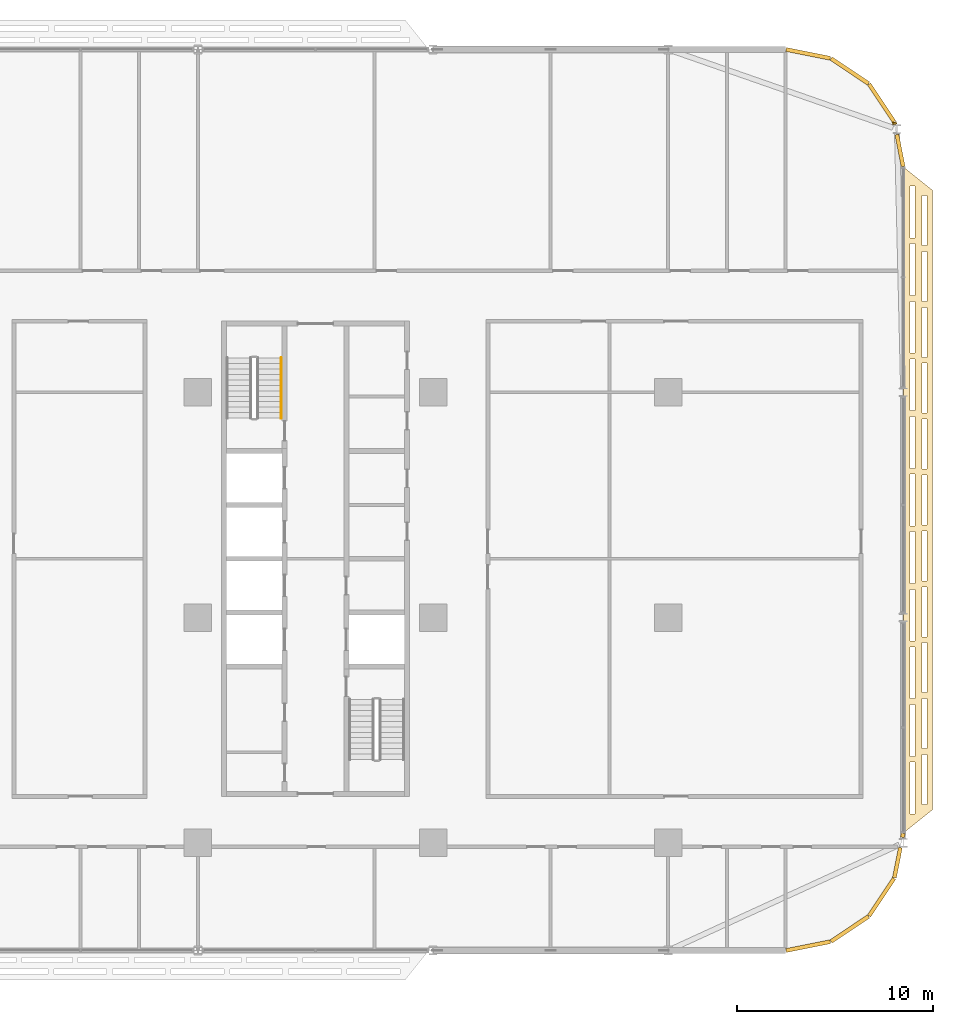
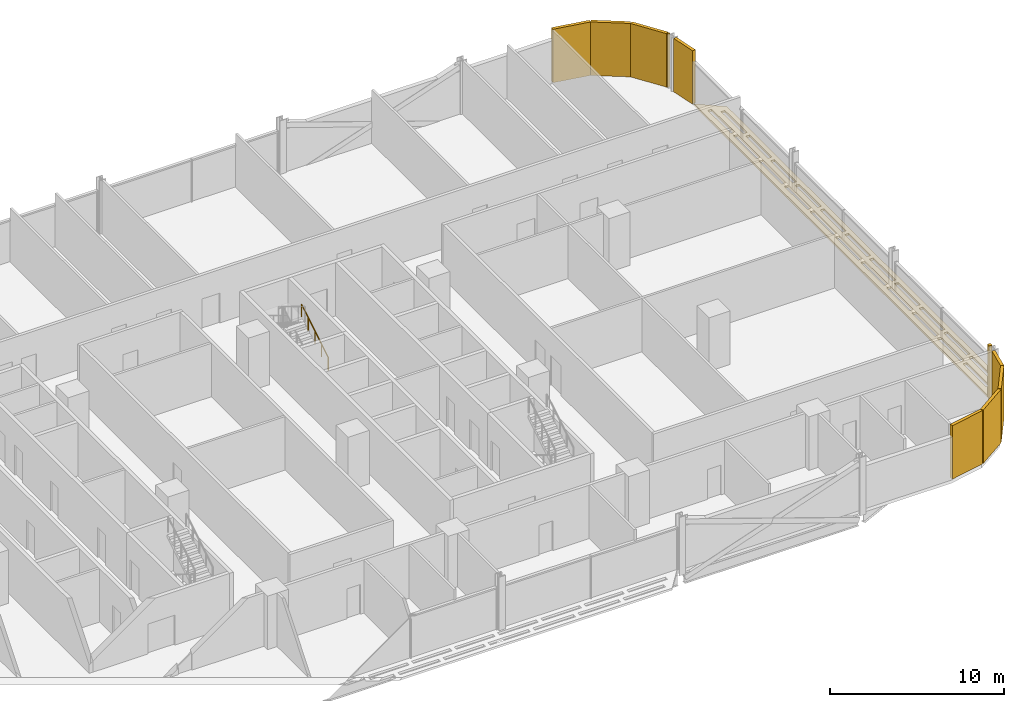
# One storey, part 29 of 29: 11 coverings, 1 railing.
"""IFC4 building model written with IfcOpenShell, lengths in metres."""

from ifc_helpers import new_model, si_unit, direction, frame, origin, origin_2d, place, context, subcontext, project, spatial, polyline, rectangle, circle, outline, extrude, material, layer, layer_set, type_object, element, save


model = new_model("IFC4")

# Units and contexts
model_context = context("Model", 3, precision=1e-05, world=origin(), true_north=direction((0.0, 1.0)))
body_context = subcontext(model_context, "Body", "Model", "MODEL_VIEW")
ifc_project = project(units=[si_unit("LENGTHUNIT", "METRE"), si_unit("AREAUNIT", "SQUARE_METRE"), si_unit("VOLUMEUNIT", "CUBIC_METRE"), si_unit("PLANEANGLEUNIT", "RADIAN"), si_unit("MASSUNIT", "GRAM", prefix="KILO")], contexts=[model_context])

# Site, building, storey
site_placement = place(None, origin())
site = spatial("IfcSite", under=ifc_project, at=site_placement, CompositionType="ELEMENT")
building_placement = place(site_placement, origin())
building = spatial("IfcBuilding", under=site, at=building_placement, Name="Mahtab Terrace Research Tower", CompositionType="ELEMENT")
storey_placement = place(building_placement, frame((0.0, 0.0, 109.39990234375)))
storey = spatial("IfcBuildingStorey", under=building, at=storey_placement, Name="L25", CompositionType="ELEMENT", Elevation=109.39990234375)

# Coverings
ifc_material_1 = material(Name="Black aluminium cladding panel", Category="aluminium")
ifc_layer_1 = layer(ifc_material_1, 0.199951171875)
ifc_layer_set_1 = layer_set([ifc_layer_1], Name="Black metal corner cladding 200")
covering_type_1 = type_object("IfcCoveringType", Name="Black metal corner cladding 200", PredefinedType="CLADDING", material=ifc_layer_set_1)
for number, where, z_axis, x_axis, name in (
    (1, (52.89306640625, 26.26953125, 0.0), (0.0, 0.0, 1.0), (-0.555291490808, 0.831655794326, 0.0), "Corner cladding L25 0"),
    (2, (51.26953125, 27.89306640625, 0.0), (0.0, 0.0, 1.0), (-0.831655794326, 0.555291490808, 0.0), "Corner cladding L25 1"),
    (3, (49.14794921875, 28.771484375, 0.0), (0.0, 0.0, 1.0), (-0.980760981187, 0.195212442692, 0.0), "Corner cladding L25 2"),
    (4, (49.14794921875, -16.771484375, 0.0), (0.0, 0.0, 1.0), (0.980760981187, 0.195212442692, 0.0), "Corner cladding L25 31"),
    (5, (51.26953125, -15.89306640625, 0.0), (0.0, 0.0, 1.0), (0.831655794326, 0.555291490808, 0.0), "Corner cladding L25 32"),
    (6, (52.89306640625, -14.26953125, 0.0), (0.0, 0.0, 1.0), (0.555291490808, 0.831655794326, 0.0), "Corner cladding L25 33"),
):
    element("IfcCovering", number, at=place(storey_placement, frame(where, z_axis=z_axis, x_axis=x_axis)), inside=storey, type_object=covering_type_1, Name=name, PredefinedType="CLADDING", context=body_context, shape_type="SweptSolid", body=[
        extrude(rectangle(XDim=2.30126953125, YDim=0.199951171875, at=origin_2d()), origin(), (0.0, 0.0, 1.0), 3.760009765625),
    ])
covering_1_placement = place(storey_placement, frame((53.699462890625, -12.51025390625, 0.0), z_axis=(0.0, 0.0, 1.0), x_axis=(0.195212442692, 0.980760981187, 0.0)))
element("IfcCovering", 7, at=covering_1_placement, inside=storey, type_object=covering_type_1, Name="Corner cladding L25 34", PredefinedType="CLADDING", context=body_context, shape_type="SweptSolid", body=[
    extrude(rectangle(XDim=1.562744140625, YDim=0.199951171875, at=origin_2d()), origin(), (0.0, 0.0, 1.0), 3.760009765625),
])
covering_2_placement = place(storey_placement, frame((53.977294921875, -11.114013671875, 0.0), z_axis=(0.0, 0.0, 1.0), x_axis=(0.195212442692, 0.980760981187, 0.0)))
element("IfcCovering", 8, at=covering_2_placement, inside=storey, type_object=covering_type_1, Name="Corner cladding L25 35", PredefinedType="CLADDING", context=body_context, shape_type="SweptSolid", body=[
    extrude(rectangle(XDim=0.212158203125, YDim=0.199951171875, at=origin_2d()), origin(), (0.0, 0.0, 1.0), 3.760009765625),
])
covering_3_placement = place(storey_placement, frame((53.833740234375, 23.83544921875, 0.0), z_axis=(0.0, 0.0, 1.0), x_axis=(-0.195212442692, 0.980760981187, 0.0)))
element("IfcCovering", 9, at=covering_3_placement, inside=storey, type_object=covering_type_1, Name="Corner cladding L25 39", PredefinedType="CLADDING", context=body_context, shape_type="SweptSolid", body=[
    extrude(rectangle(XDim=1.6640625, YDim=0.199951171875, at=origin_2d()), origin(), (0.0, 0.0, 1.0), 3.760009765625),
])
covering_4_placement = place(storey_placement, frame((53.5556640625, 25.231689453125, 0.0), z_axis=(0.0, 0.0, 1.0), x_axis=(-0.195212442692, 0.980760981187, 0.0)))
element("IfcCovering", 10, at=covering_4_placement, inside=storey, type_object=covering_type_1, Name="Corner cladding L25 40", PredefinedType="CLADDING", context=body_context, shape_type="SweptSolid", body=[
    extrude(rectangle(XDim=0.11083984375, YDim=0.199951171875, at=origin_2d()), origin(), (0.0, 0.0, 1.0), 3.760009765625),
])
ifc_material_2 = material(Name="Black anodised aluminium", Category="aluminium")
ifc_layer_2 = layer(ifc_material_2, 0.14990234375)
ifc_layer_set_2 = layer_set([ifc_layer_2], Name="Horizontal sunshade band")
covering_type_2 = type_object("IfcCoveringType", Name="Horizontal sunshade band", PredefinedType="CLADDING", material=ifc_layer_set_2)
covering_5_placement = place(storey_placement, frame((0.0, 0.0, -0.14990234375)))
element("IfcCovering", 11, at=covering_5_placement, inside=storey, type_object=covering_type_2, Name="Sunshade band L25 36", PredefinedType="CLADDING", context=body_context, shape_type="SweptSolid", body=[
    extrude(outline(polyline([(54.0, -11.0), (54.0, 23.0), (55.5, 21.800048828125), (55.5, -9.800048828125), (54.0, -11.0)]), holes=[polyline([(54.35009765625, -10.02001953125), (54.35009765625, -7.3798828125), (54.60009765625, -7.3798828125), (54.60009765625, -10.02001953125), (54.35009765625, -10.02001953125)]), polyline([(54.35009765625, -7.080078125), (54.35009765625, -4.43994140625), (54.60009765625, -4.43994140625), (54.60009765625, -7.080078125), (54.35009765625, -7.080078125)]), polyline([(54.35009765625, -4.139892578125), (54.35009765625, -1.5), (54.60009765625, -1.5), (54.60009765625, -4.139892578125), (54.35009765625, -4.139892578125)]), polyline([(54.35009765625, -1.199951171875), (54.35009765625, 1.43994140625), (54.60009765625, 1.43994140625), (54.60009765625, -1.199951171875), (54.35009765625, -1.199951171875)]), polyline([(54.35009765625, 1.739990234375), (54.35009765625, 4.3798828125), (54.60009765625, 4.3798828125), (54.60009765625, 1.739990234375), (54.35009765625, 1.739990234375)]), polyline([(54.35009765625, 4.679931640625), (54.35009765625, 7.320068359375), (54.60009765625, 7.320068359375), (54.60009765625, 4.679931640625), (54.35009765625, 4.679931640625)]), polyline([(54.35009765625, 7.6201171875), (54.35009765625, 10.260009765625), (54.60009765625, 10.260009765625), (54.60009765625, 7.6201171875), (54.35009765625, 7.6201171875)]), polyline([(54.35009765625, 10.56005859375), (54.35009765625, 13.199951171875), (54.60009765625, 13.199951171875), (54.60009765625, 10.56005859375), (54.35009765625, 10.56005859375)]), polyline([(54.35009765625, 13.5), (54.35009765625, 16.139892578125), (54.60009765625, 16.139892578125), (54.60009765625, 13.5), (54.35009765625, 13.5)]), polyline([(54.35009765625, 16.43994140625), (54.35009765625, 19.080078125), (54.60009765625, 19.080078125), (54.60009765625, 16.43994140625), (54.35009765625, 16.43994140625)]), polyline([(54.35009765625, 19.3798828125), (54.35009765625, 22.02001953125), (54.60009765625, 22.02001953125), (54.60009765625, 19.3798828125), (54.35009765625, 19.3798828125)]), polyline([(54.949951171875, -9.5400390625), (54.949951171875, -6.987060546875), (55.199951171875, -6.987060546875), (55.199951171875, -9.5400390625), (54.949951171875, -9.5400390625)]), polyline([(54.949951171875, -6.68701171875), (54.949951171875, -4.135009765625), (55.199951171875, -4.135009765625), (55.199951171875, -6.68701171875), (54.949951171875, -6.68701171875)]), polyline([(54.949951171875, -3.8349609375), (54.949951171875, -1.281982421875), (55.199951171875, -1.281982421875), (55.199951171875, -3.8349609375), (54.949951171875, -3.8349609375)]), polyline([(54.949951171875, -0.98193359375), (54.949951171875, 1.571044921875), (55.199951171875, 1.571044921875), (55.199951171875, -0.98193359375), (54.949951171875, -0.98193359375)]), polyline([(54.949951171875, 1.87109375), (54.949951171875, 4.424072265625), (55.199951171875, 4.424072265625), (55.199951171875, 1.87109375), (54.949951171875, 1.87109375)]), polyline([(54.949951171875, 4.72412109375), (54.949951171875, 7.27587890625), (55.199951171875, 7.27587890625), (55.199951171875, 4.72412109375), (54.949951171875, 4.72412109375)]), polyline([(54.949951171875, 7.575927734375), (54.949951171875, 10.12890625), (55.199951171875, 10.12890625), (55.199951171875, 7.575927734375), (54.949951171875, 7.575927734375)]), polyline([(54.949951171875, 10.428955078125), (54.949951171875, 12.98193359375), (55.199951171875, 12.98193359375), (55.199951171875, 10.428955078125), (54.949951171875, 10.428955078125)]), polyline([(54.949951171875, 13.281982421875), (54.949951171875, 15.8349609375), (55.199951171875, 15.8349609375), (55.199951171875, 13.281982421875), (54.949951171875, 13.281982421875)]), polyline([(54.949951171875, 16.135009765625), (54.949951171875, 18.68701171875), (55.199951171875, 18.68701171875), (55.199951171875, 16.135009765625), (54.949951171875, 16.135009765625)]), polyline([(54.949951171875, 18.987060546875), (54.949951171875, 21.5400390625), (55.199951171875, 21.5400390625), (55.199951171875, 18.987060546875), (54.949951171875, 18.987060546875)])]), origin(), (0.0, 0.0, 1.0), 0.14990234375),
])

# Railing
ifc_material_3 = material(Name="Stainless steel AISI 304", Category="steel")
railing_type = type_object("IfcRailingType", Name="Stair handrail 900", PredefinedType="HANDRAIL", material=ifc_material_3)
railing_placement = place(storey_placement, frame((22.25, 10.175048828125, 0.1708984375)))
element("IfcRailing", 12, at=railing_placement, inside=storey, type_object=railing_type, Name="L25 ST3 stair handrail 1", PredefinedType="HANDRAIL", context=body_context, shape_type="SweptSolid", body=[
    extrude(circle(Radius=0.02392578125, at=origin_2d()), frame((0.0, 0.0, 0.8759765625), z_axis=(0.0, 0.853647949592, 0.520850437417), x_axis=(-1.0, 0.0, 0.0)), (0.0, 0.0, 1.0), 3.60791015625),
    extrude(circle(Radius=0.02099609375, at=origin_2d()), origin(), (0.0, 0.0, 1.0), 0.851806640625),
    extrude(circle(Radius=0.02099609375, at=origin_2d()), frame((0.0, 0.77001953125, 0.4697265625)), (0.0, 0.0, 1.0), 0.851806640625),
    extrude(circle(Radius=0.02099609375, at=origin_2d()), frame((0.0, 1.5400390625, 0.939453125)), (0.0, 0.0, 1.0), 0.851806640625),
    extrude(circle(Radius=0.02099609375, at=origin_2d()), frame((0.0, 2.309814453125, 1.409423828125)), (0.0, 0.0, 1.0), 0.851806640625),
    extrude(circle(Radius=0.02099609375, at=origin_2d()), frame((0.0, 3.079833984375, 1.879150390625)), (0.0, 0.0, 1.0), 0.851806640625),
])

save(model, "model.ifc")
